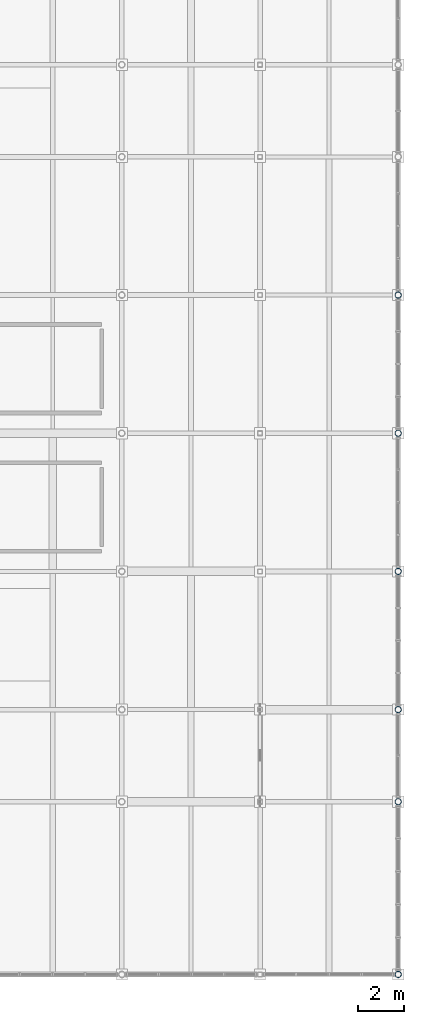
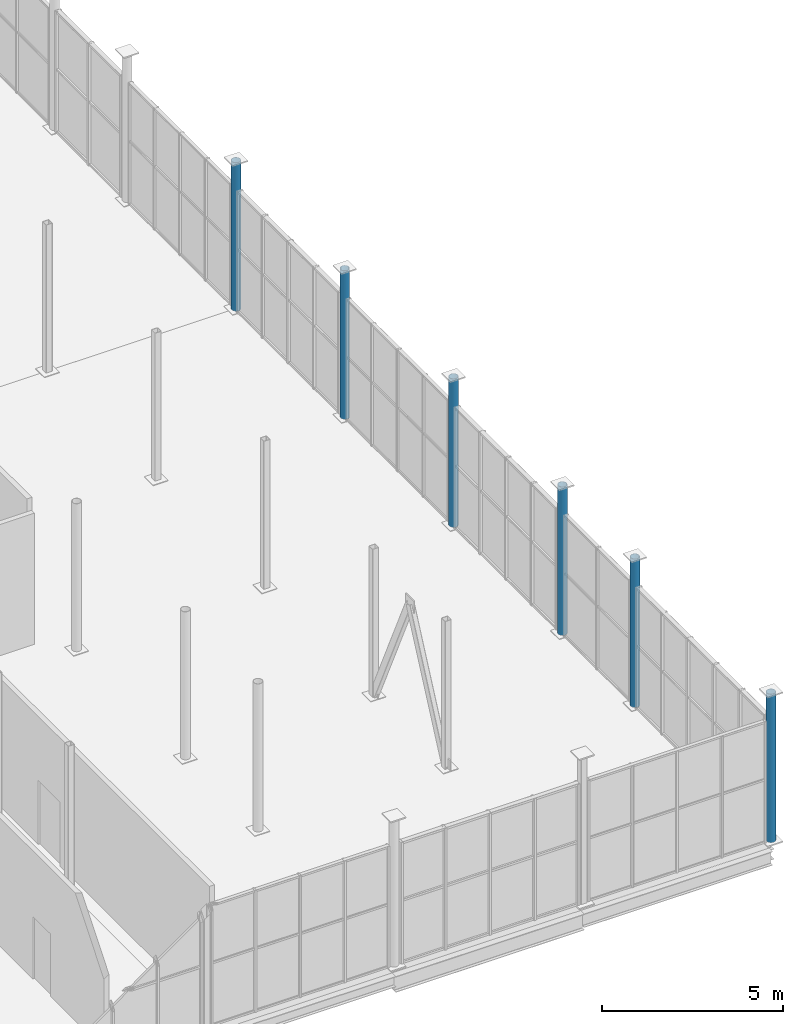
# One storey, part 3 of 27: 6 columns.
"""IFC4 building model written with IfcOpenShell, lengths in metres."""

from ifc_helpers import new_model, si_unit, direction, frame, origin, origin_2d, place, context, subcontext, project, spatial, hollow_circle, extrude, material, material_profile, profile_set, type_object, element, save


model = new_model("IFC4")

# Units and contexts
model_context = context("Model", 3, precision=1e-05, world=origin(), true_north=direction((0.0, 1.0)))
body_context = subcontext(model_context, "Body", "Model", "MODEL_VIEW")
ifc_project = project(units=[si_unit("LENGTHUNIT", "METRE"), si_unit("AREAUNIT", "SQUARE_METRE"), si_unit("VOLUMEUNIT", "CUBIC_METRE"), si_unit("PLANEANGLEUNIT", "RADIAN"), si_unit("MASSUNIT", "GRAM", prefix="KILO")], contexts=[model_context])

# Site, building, storey
site_placement = place(None, origin())
site = spatial("IfcSite", under=ifc_project, at=site_placement, CompositionType="ELEMENT")
building_placement = place(site_placement, origin())
building = spatial("IfcBuilding", under=site, at=building_placement, Name="Verrall Gate Interchange", CompositionType="ELEMENT")
storey_placement = place(building_placement, frame((0.0, 0.0, 23.60009765625)))
storey = spatial("IfcBuildingStorey", under=building, at=storey_placement, Name="L06", CompositionType="ELEMENT", Elevation=23.60009765625)

# Columns
ifc_material = material(Name="Structural Steel CSA G40.21 350WT Cat 4", Category="steel")
ifc_material_profile = material_profile(ifc_material, hollow_circle(Radius=0.136474609375, WallThickness=0.009521484375, at=origin_2d()), Name="HSS273x9.5")
ifc_profile_set = profile_set([ifc_material_profile], Name="Structural Steel CSA G40.21 350WT Cat 4")
column_type = type_object("IfcColumnType", Name="C-16 Column HSS273x9.5", PredefinedType="COLUMN", material=ifc_profile_set)
for number, where, z_axis, x_axis, name in (
    (1, (36.0, 4.5, 0.0), (0.0, 0.0, 1.0), (1.0, 0.0, 0.0), "L06 Column COL-L06-0729 (C-16)"),
    (2, (36.0, 12.0, 0.0), (0.0, 0.0, 1.0), (1.0, 0.0, 0.0), "L06 Column COL-L06-0737 (C-16)"),
    (3, (36.0, 16.0, 0.0), (0.0, 0.0, 1.0), (1.0, 0.0, 0.0), "L06 Column COL-L06-0745 (C-16)"),
    (4, (36.0, 22.0, 0.0), (0.0, 0.0, 1.0), (1.0, 0.0, 0.0), "L06 Column COL-L06-0753 (C-16)"),
    (5, (36.0, 28.0, 0.0), (0.0, 0.0, 1.0), (1.0, 0.0, 0.0), "L06 Column COL-L06-0761 (C-16)"),
    (6, (36.0, 34.0, 0.0), (0.0, 0.0, 1.0), (1.0, 0.0, 0.0), "L06 Column COL-L06-0769 (C-16)"),
):
    element("IfcColumn", number, at=place(storey_placement, frame(where, z_axis=z_axis, x_axis=x_axis)), inside=storey, type_object=column_type, Name=name, PredefinedType="COLUMN", context=body_context, shape_type="SweptSolid", body=[
        extrude(hollow_circle(Radius=0.136474609375, WallThickness=0.009521484375, at=origin_2d()), origin(), (0.0, 0.0, 1.0), 5.0),
    ])

save(model, "model.ifc")
